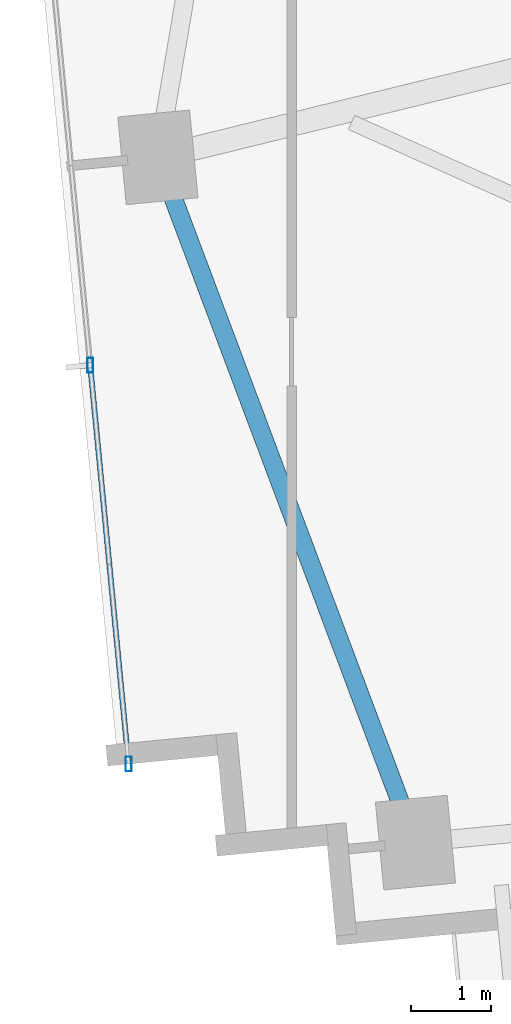
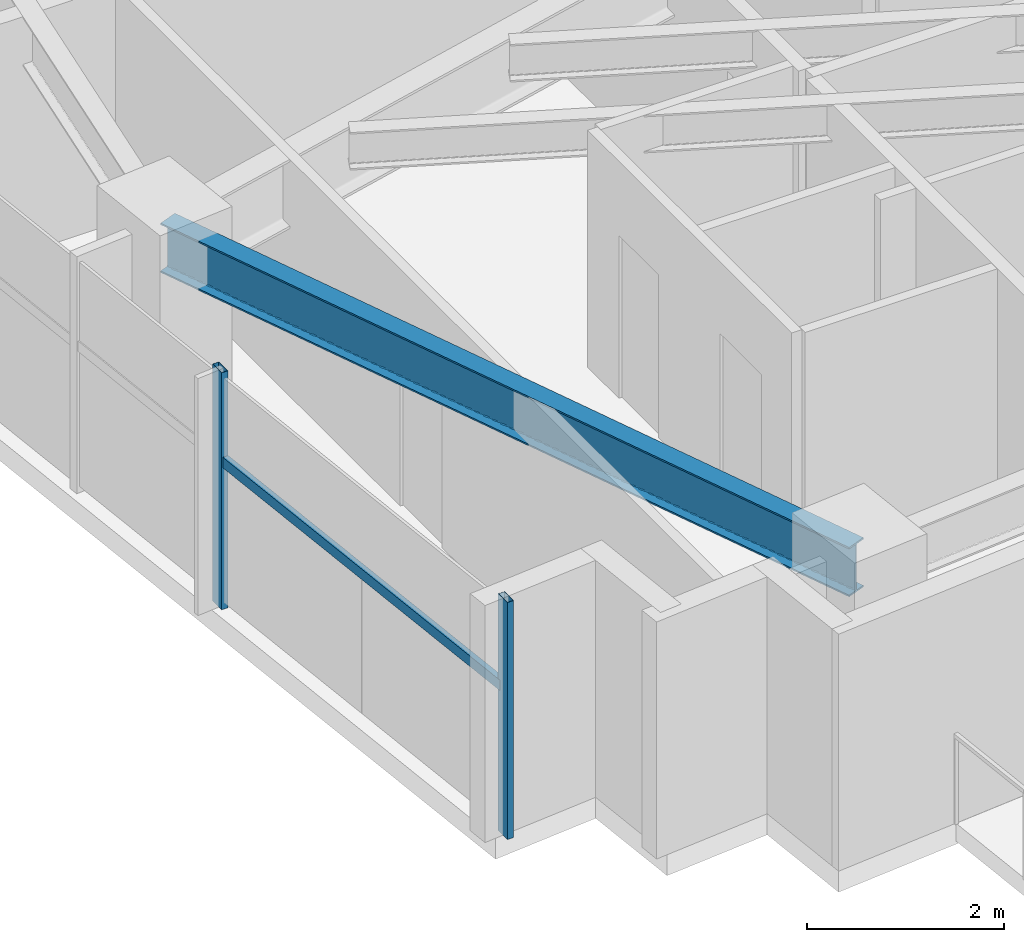
# One storey, part 2 of 27: 3 members, 1 beam, 1 element without a shape of its own.
"""IFC4 building model written with IfcOpenShell, lengths in metres."""

from ifc_helpers import new_model, si_unit, direction, frame, origin, origin_2d, place, context, subcontext, project, spatial, hollow_rectangle, i_section, extrude, source, transform, mapped, material, material_profile, profile_set, type_object, type_shapes, element, aggregate, save


model = new_model("IFC4")

# Units and contexts
model_context = context("Model", 3, precision=1e-05, world=origin(), true_north=direction((0.0, 1.0)))
body_context = subcontext(model_context, "Body", "Model", "MODEL_VIEW")
ifc_project = project(units=[si_unit("LENGTHUNIT", "METRE"), si_unit("AREAUNIT", "SQUARE_METRE"), si_unit("VOLUMEUNIT", "CUBIC_METRE"), si_unit("PLANEANGLEUNIT", "RADIAN"), si_unit("MASSUNIT", "GRAM", prefix="KILO")], contexts=[model_context])

# Site, building, storey
site_placement = place(None, origin())
site = spatial("IfcSite", under=ifc_project, at=site_placement, CompositionType="ELEMENT")
building_placement = place(site_placement, origin())
building = spatial("IfcBuilding", under=site, at=building_placement, Name="Astriad Promenade Condominiums", CompositionType="ELEMENT")
storey_placement = place(building_placement, frame((0.0, 0.0, 84.199951171875)))
storey = spatial("IfcBuildingStorey", under=building, at=storey_placement, Name="L23", CompositionType="ELEMENT", Elevation=84.199951171875)

# Beam
ifc_material_1 = material(Name="Steel ASTM A992 Grade 50", Category="steel")
ifc_material_profile_1 = material_profile(ifc_material_1, i_section(OverallWidth=0.22900390625, OverallDepth=0.612060546875, WebThickness=0.011962890625, FlangeThickness=0.01953125, FilletRadius=0.017822265625, at=origin_2d()), Name="W24X84")
ifc_profile_set_1 = profile_set([ifc_material_profile_1], Name="Steel ASTM A992 Grade 50")
beam_type = type_object("IfcBeamType", Name="STEEL SPANDREL BEAM W24X84", PredefinedType="SPANDREL", material=ifc_profile_set_1)
shared_shape_1 = source(origin(), body_context, "Body", "SweptSolid", [
    extrude(i_section(OverallWidth=0.22900390625, OverallDepth=0.612060546875, WebThickness=0.011962890625, FlangeThickness=0.01953125, FilletRadius=0.017822265625, at=origin_2d()), origin(), (0.0, 0.0, 1.0), 9.055419921875),
])
type_shapes(beam_type, [shared_shape_1])
beam_placement = place(storey_placement, frame((10.765625, 13.523193359375, 2.634033203125), z_axis=(0.351864937141, -0.936050781748, 0.0), x_axis=(0.936050781748, 0.351864937141, 0.0)))
element("IfcBeam", 1, at=beam_placement, inside=storey, type_object=beam_type, Name="Perimeter Spandrel Beam SP-W1-L23", PredefinedType="SPANDREL", context=body_context, shape_type="MappedRepresentation", body=[
    mapped(shared_shape_1, transform((0.0, 0.0, 0.0), scale=1.0)),
])

# Curtain wall, members
ifc_material_2 = material(Name="Anodised aluminium Black Dark Glass Unitised", Category="aluminium")
curtain_wall_type = type_object("IfcCurtainWallType", Name="CW-B2-DARK", PredefinedType="USERDEFINED", material=ifc_material_2)
curtain_wall_placement = place(storey_placement, origin())
curtain_wall = element("IfcCurtainWall", 2, at=curtain_wall_placement, inside=storey, type_object=curtain_wall_type, Name="CW-L23-W", ObjectType="UNITISED_CURTAIN_WALL", PredefinedType="USERDEFINED")
ifc_material_3 = material(Name="Anodised aluminium 6063-T6 Black", Category="aluminium")
ifc_material_profile_2 = material_profile(ifc_material_3, hollow_rectangle(XDim=0.074951171875, YDim=0.18505859375, WallThickness=0.00439453125, at=origin_2d()), Name="ALU-MUL-75X185")
ifc_profile_set_2 = profile_set([ifc_material_profile_2], Name="Anodised aluminium 6063-T6 Black")
member_type_1 = type_object("IfcMemberType", Name="MUL-ALU-MUL-75X185", PredefinedType="MULLION", material=ifc_profile_set_2)
shared_shape_2 = source(origin(), body_context, "Body", "SweptSolid", [
    extrude(hollow_rectangle(XDim=0.074951171875, YDim=0.18505859375, WallThickness=0.00439453125, at=origin_2d()), origin(), (0.0, 0.0, 1.0), 2.93994140625),
])
type_shapes(member_type_1, [shared_shape_2])
member_1_placement = place(storey_placement, frame((10.385498046875, 5.99072265625, 0.0), z_axis=(0.0, 0.0, 1.0), x_axis=(1.0, 0.0, 0.0)))
member_1 = element("IfcMember", 3, at=member_1_placement, type_object=member_type_1, Name="CW-L23-W-MUL-00", PredefinedType="MULLION", context=body_context, shape_type="MappedRepresentation", body=[
    mapped(shared_shape_2, transform((0.0, 0.0, 0.0), scale=1.0)),
])
member_2_placement = place(storey_placement, frame((9.90625, 10.9677734375, 0.0), z_axis=(0.0, 0.0, 1.0), x_axis=(1.0, 0.0, 0.0)))
member_2 = element("IfcMember", 4, at=member_2_placement, type_object=member_type_1, Name="CW-L23-W-MUL-01", PredefinedType="MULLION", context=body_context, shape_type="MappedRepresentation", body=[
    mapped(shared_shape_2, transform((0.0, 0.0, 0.0), scale=1.0)),
])
ifc_material_profile_3 = material_profile(ifc_material_3, hollow_rectangle(XDim=0.06494140625, YDim=0.1298828125, WallThickness=0.00390625, at=origin_2d()), Name="ALU-TRN-65X130")
ifc_profile_set_3 = profile_set([ifc_material_profile_3], Name="Anodised aluminium 6063-T6 Black")
member_type_2 = type_object("IfcMemberType", Name="TRN-ALU-TRN-65X130", PredefinedType="USERDEFINED", material=ifc_profile_set_3)
shared_shape_3 = source(origin(), body_context, "Body", "SweptSolid", [
    extrude(hollow_rectangle(XDim=0.06494140625, YDim=0.1298828125, WallThickness=0.00390625, at=origin_2d()), origin(), (0.0, 0.0, 1.0), 5.0),
])
type_shapes(member_type_2, [shared_shape_3])
member_3_placement = place(storey_placement, frame((10.385498046875, 5.99072265625, 1.82275390625), z_axis=(-0.095848242264, 0.995395958629, 0.0), x_axis=(-0.995395958629, -0.095848242264, 0.0)))
member_3 = element("IfcMember", 5, at=member_3_placement, type_object=member_type_2, Name="CW-L23-W-TRN-00-0", ObjectType="TRANSOM", PredefinedType="USERDEFINED", context=body_context, shape_type="MappedRepresentation", body=[
    mapped(shared_shape_3, transform((0.0, 0.0, 0.0), scale=1.0)),
])
aggregate(curtain_wall, [member_1, member_2, member_3])

save(model, "model.ifc")
